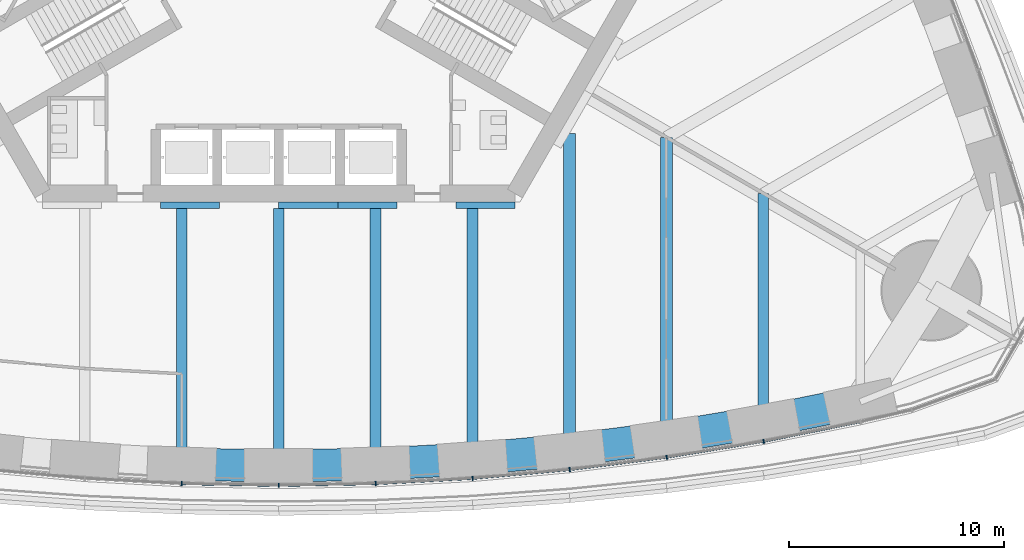
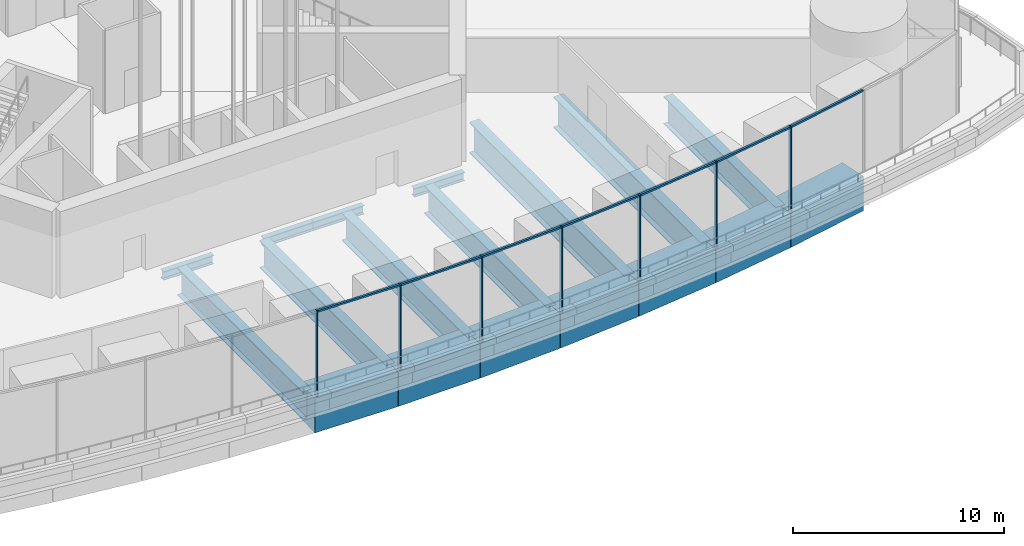
# One storey, part 4 of 33: 18 beams, 14 members, 1 element without a shape of its own.
"""IFC4 building model written with IfcOpenShell, lengths in metres."""

from ifc_helpers import new_model, si_unit, direction, frame, origin, origin_2d, place, context, subcontext, project, spatial, rectangle, i_section, extrude, material, material_profile, profile_set, type_object, element, aggregate, save


model = new_model("IFC4")

# Units and contexts
model_context = context("Model", 3, precision=1e-05, world=origin(), true_north=direction((0.0, 1.0)))
body_context = subcontext(model_context, "Body", "Model", "MODEL_VIEW")
ifc_project = project(units=[si_unit("LENGTHUNIT", "METRE"), si_unit("AREAUNIT", "SQUARE_METRE"), si_unit("VOLUMEUNIT", "CUBIC_METRE"), si_unit("PLANEANGLEUNIT", "RADIAN"), si_unit("MASSUNIT", "GRAM", prefix="KILO")], contexts=[model_context])

# Site, building, storey
site_placement = place(None, origin())
site = spatial("IfcSite", under=ifc_project, at=site_placement, CompositionType="ELEMENT")
building_placement = place(site_placement, origin())
building = spatial("IfcBuilding", under=site, at=building_placement, Name="Trefoil Bronze Tower", CompositionType="ELEMENT")
storey_placement = place(building_placement, frame((0.0, 0.0, 98.10009765625)))
storey = spatial("IfcBuildingStorey", under=building, at=storey_placement, Name="L22", CompositionType="ELEMENT", Elevation=98.10009765625)

# Curtain wall, members
ifc_material_1 = material(Name="Tinted solar-control glass", Category="glass")
curtain_wall_type = type_object("IfcCurtainWallType", Name="Bronze sky lobby curtain wall", PredefinedType="USERDEFINED", material=ifc_material_1)
curtain_wall_placement = place(storey_placement, origin())
curtain_wall = element("IfcCurtainWall", 1, at=curtain_wall_placement, inside=storey, type_object=curtain_wall_type, Name="CW-D L22 F1", ObjectType="CURTAIN WALL", PredefinedType="USERDEFINED")
ifc_material_2 = material(Name="Bronze-finish aluminium", Category="aluminium")
ifc_material_profile_1 = material_profile(ifc_material_2, rectangle(XDim=0.199951171875, YDim=0.06005859375, at=origin_2d()), Name="CW-D mullion")
ifc_profile_set_1 = profile_set([ifc_material_profile_1], Name="Bronze-finish aluminium")
member_type_1 = type_object("IfcMemberType", Name="Bronze sky lobby curtain wall mullion", PredefinedType="MULLION", material=ifc_profile_set_1)
member_1_placement = place(storey_placement, frame((-4.503662109375, -26.468505859375, 0.0), z_axis=(0.0, 0.0, 1.0), x_axis=(0.036047792107, 0.999350067136, 0.0)))
member_1 = element("IfcMember", 2, at=member_1_placement, type_object=member_type_1, Name="CW-D L22 F1 mullion 7", PredefinedType="MULLION", context=body_context, shape_type="SweptSolid", body=[
    extrude(rectangle(XDim=0.199951171875, YDim=0.06005859375, at=origin_2d()), origin(), (0.0, 0.0, 1.0), 4.97998046875),
])
member_2_placement = place(storey_placement, frame((0.0, -26.549560546875, 0.0), z_axis=(0.0, 0.0, 1.0), x_axis=(0.0, 1.0, 0.0)))
member_2 = element("IfcMember", 3, at=member_2_placement, type_object=member_type_1, Name="CW-D L22 F1 mullion 8", PredefinedType="MULLION", context=body_context, shape_type="SweptSolid", body=[
    extrude(rectangle(XDim=0.199951171875, YDim=0.06005859375, at=origin_2d()), origin(), (0.0, 0.0, 1.0), 4.97998046875),
])
member_3_placement = place(storey_placement, frame((4.503662109375, -26.468505859375, 0.0), z_axis=(0.0, 0.0, 1.0), x_axis=(-0.036047792107, 0.999350067136, 0.0)))
member_3 = element("IfcMember", 4, at=member_3_placement, type_object=member_type_1, Name="CW-D L22 F1 mullion 9", PredefinedType="MULLION", context=body_context, shape_type="SweptSolid", body=[
    extrude(rectangle(XDim=0.199951171875, YDim=0.06005859375, at=origin_2d()), origin(), (0.0, 0.0, 1.0), 4.97998046875),
])
member_4_placement = place(storey_placement, frame((9.00732421875, -26.224609375, 0.0), z_axis=(0.0, 0.0, 1.0), x_axis=(-0.072095676284, 0.997397720802, 0.0)))
member_4 = element("IfcMember", 5, at=member_4_placement, type_object=member_type_1, Name="CW-D L22 F1 mullion 10", PredefinedType="MULLION", context=body_context, shape_type="SweptSolid", body=[
    extrude(rectangle(XDim=0.199951171875, YDim=0.06005859375, at=origin_2d()), origin(), (0.0, 0.0, 1.0), 4.97998046875),
])
member_5_placement = place(storey_placement, frame((13.5107421875, -25.817138671875, 0.0), z_axis=(0.0, 0.0, 1.0), x_axis=(-0.108143747013, 0.994135267447, 0.0)))
member_5 = element("IfcMember", 6, at=member_5_placement, type_object=member_type_1, Name="CW-D L22 F1 mullion 11", PredefinedType="MULLION", context=body_context, shape_type="SweptSolid", body=[
    extrude(rectangle(XDim=0.199951171875, YDim=0.06005859375, at=origin_2d()), origin(), (0.0, 0.0, 1.0), 4.97998046875),
])
member_6_placement = place(storey_placement, frame((18.014404296875, -25.24462890625, 0.0), z_axis=(0.0, 0.0, 1.0), x_axis=(-0.144192103798, 0.989549714366, 0.0)))
member_6 = element("IfcMember", 7, at=member_6_placement, type_object=member_type_1, Name="CW-D L22 F1 mullion 12", PredefinedType="MULLION", context=body_context, shape_type="SweptSolid", body=[
    extrude(rectangle(XDim=0.199951171875, YDim=0.06005859375, at=origin_2d()), origin(), (0.0, 0.0, 1.0), 4.97998046875),
])
member_7_placement = place(storey_placement, frame((22.51806640625, -24.50439453125, 0.0), z_axis=(0.0, 0.0, 1.0), x_axis=(-0.180240853954, 0.98362250613, 0.0)))
member_7 = element("IfcMember", 8, at=member_7_placement, type_object=member_type_1, Name="CW-D L22 F1 mullion 13", PredefinedType="MULLION", context=body_context, shape_type="SweptSolid", body=[
    extrude(rectangle(XDim=0.199951171875, YDim=0.06005859375, at=origin_2d()), origin(), (0.0, 0.0, 1.0), 4.97998046875),
])
ifc_material_3 = material(Name="Bronze-finish aluminium", Category="aluminium")
ifc_material_profile_2 = material_profile(ifc_material_3, rectangle(XDim=0.1201171875, YDim=0.10009765625, at=origin_2d()), Name="CW-D transom")
ifc_profile_set_2 = profile_set([ifc_material_profile_2], Name="Bronze-finish aluminium")
member_type_2 = type_object("IfcMemberType", Name="Bronze sky lobby curtain wall transom", PredefinedType="USERDEFINED", material=ifc_profile_set_2)
member_8_placement = place(storey_placement, frame((-4.471923828125, -26.468994140625, 4.929931640625), z_axis=(0.999837411572, -0.018031927805, 0.0), x_axis=(0.018031927805, 0.999837411572, 0.0)))
member_8 = element("IfcMember", 9, at=member_8_placement, type_object=member_type_2, Name="CW-D L22 F1 transom 7", ObjectType="TRANSOM", PredefinedType="USERDEFINED", context=body_context, shape_type="SweptSolid", body=[
    extrude(rectangle(XDim=0.1201171875, YDim=0.10009765625, at=origin_2d()), origin(), (0.0, 0.0, 1.0), 4.44091796875),
])
member_9_placement = place(storey_placement, frame((0.03173828125, -26.549072265625, 4.929931640625), z_axis=(0.999837411572, 0.018031927805, 0.0), x_axis=(-0.018031927805, 0.999837411572, 0.0)))
member_9 = element("IfcMember", 10, at=member_9_placement, type_object=member_type_2, Name="CW-D L22 F1 transom 8", ObjectType="TRANSOM", PredefinedType="USERDEFINED", context=body_context, shape_type="SweptSolid", body=[
    extrude(rectangle(XDim=0.1201171875, YDim=0.10009765625, at=origin_2d()), origin(), (0.0, 0.0, 1.0), 4.44091796875),
])
member_10_placement = place(storey_placement, frame((4.535400390625, -26.466796875, 4.929931640625), z_axis=(0.998536428831, 0.054083271879, 0.0), x_axis=(-0.054083271879, 0.998536428831, 0.0)))
member_10 = element("IfcMember", 11, at=member_10_placement, type_object=member_type_2, Name="CW-D L22 F1 transom 9", ObjectType="TRANSOM", PredefinedType="USERDEFINED", context=body_context, shape_type="SweptSolid", body=[
    extrude(rectangle(XDim=0.1201171875, YDim=0.10009765625, at=origin_2d()), origin(), (0.0, 0.0, 1.0), 4.446533203125),
])
member_11_placement = place(storey_placement, frame((9.038818359375, -26.221923828125, 4.929931640625), z_axis=(0.99592992842, 0.090130891917, 0.0), x_axis=(-0.090130891917, 0.99592992842, 0.0)))
member_11 = element("IfcMember", 12, at=member_11_placement, type_object=member_type_2, Name="CW-D L22 F1 transom 10", ObjectType="TRANSOM", PredefinedType="USERDEFINED", context=body_context, shape_type="SweptSolid", body=[
    extrude(rectangle(XDim=0.1201171875, YDim=0.10009765625, at=origin_2d()), origin(), (0.0, 0.0, 1.0), 4.45849609375),
])
member_12_placement = place(storey_placement, frame((13.54248046875, -25.813232421875, 4.929931640625), z_axis=(0.992010451139, 0.126155716598, 0.0), x_axis=(-0.126155716598, 0.992010451139, 0.0)))
member_12 = element("IfcMember", 13, at=member_12_placement, type_object=member_type_2, Name="CW-D L22 F1 transom 11", ObjectType="TRANSOM", PredefinedType="USERDEFINED", context=body_context, shape_type="SweptSolid", body=[
    extrude(rectangle(XDim=0.1201171875, YDim=0.10009765625, at=origin_2d()), origin(), (0.0, 0.0, 1.0), 4.47607421875),
])
member_13_placement = place(storey_placement, frame((18.0458984375, -25.2392578125, 4.929931640625), z_axis=(0.986765262524, 0.162155224019, 0.0), x_axis=(-0.162155224019, 0.986765262524, 0.0)))
member_13 = element("IfcMember", 14, at=member_13_placement, type_object=member_type_2, Name="CW-D L22 F1 transom 12", ObjectType="TRANSOM", PredefinedType="USERDEFINED", context=body_context, shape_type="SweptSolid", body=[
    extrude(rectangle(XDim=0.1201171875, YDim=0.10009765625, at=origin_2d()), origin(), (0.0, 0.0, 1.0), 4.500244140625),
])
member_14_placement = place(storey_placement, frame((22.54931640625, -24.498046875, 4.929931640625), z_axis=(0.980155635994, 0.198229486275, 0.0), x_axis=(-0.198229486275, 0.980155635994, 0.0)))
member_14 = element("IfcMember", 15, at=member_14_placement, type_object=member_type_2, Name="CW-D L22 F1 transom 13", ObjectType="TRANSOM", PredefinedType="USERDEFINED", context=body_context, shape_type="SweptSolid", body=[
    extrude(rectangle(XDim=0.1201171875, YDim=0.10009765625, at=origin_2d()), origin(), (0.0, 0.0, 1.0), 4.531005859375),
])
aggregate(curtain_wall, [member_1, member_2, member_3, member_4, member_5, member_6, member_7, member_8, member_9, member_10, member_11, member_12, member_13, member_14])

# Beams
ifc_material_4 = material(Name="Steel C355", Category="steel")
ifc_material_profile_3 = material_profile(ifc_material_4, i_section(OverallWidth=0.300048828125, OverallDepth=0.5, WebThickness=0.014404296875, FlangeThickness=0.028076171875, FilletRadius=0.027099609375, at=origin_2d()), Name="HEB 500")
ifc_profile_set_3 = profile_set([ifc_material_profile_3], Name="Steel C355")
beam_type_1 = type_object("IfcBeamType", Name="Core seat beam HEB 500", PredefinedType="BEAM", material=ifc_profile_set_3)
for number, where, z_axis, x_axis, name in (
    (16, (-5.48486328125, -13.550048828125, -0.4501953125), (1.0, 0.0, 0.0), (0.0, 1.0, 0.0), "Core seat beam F1/-1 L22"),
    (17, (0.0, -13.550048828125, -0.4501953125), (1.0, 0.0, 0.0), (0.0, 1.0, 0.0), "Core seat beam F1/+0 L22"),
    (18, (2.742431640625, -13.550048828125, -0.4501953125), (1.0, 0.0, 0.0), (0.0, 1.0, 0.0), "Core seat beam F1/+1 L22"),
    (19, (8.227294921875, -13.550048828125, -0.4501953125), (1.0, 0.0, 0.0), (0.0, 1.0, 0.0), "Core seat beam F1/+2 L22"),
):
    element("IfcBeam", number, at=place(storey_placement, frame(where, z_axis=z_axis, x_axis=x_axis)), inside=storey, type_object=beam_type_1, Name=name, PredefinedType="BEAM", context=body_context, shape_type="SweptSolid", body=[
        extrude(i_section(OverallWidth=0.300048828125, OverallDepth=0.5, WebThickness=0.014404296875, FlangeThickness=0.028076171875, FilletRadius=0.027099609375, at=origin_2d()), origin(), (0.0, 0.0, 1.0), 2.742431640625),
    ])
ifc_material_5 = material(Name="Steel C355", Category="steel")
ifc_material_profile_4 = material_profile(ifc_material_5, i_section(OverallWidth=0.5, OverallDepth=1.60009765625, WebThickness=0.02587890625, FlangeThickness=0.050048828125, FilletRadius=0.011962890625, at=origin_2d()), Name="WPG 1600")
ifc_profile_set_4 = profile_set([ifc_material_profile_4], Name="Steel C355")
beam_type_2 = type_object("IfcBeamType", Name="Floor beam WPG 1600", PredefinedType="BEAM", material=ifc_profile_set_4)
beam_1_placement = place(storey_placement, frame((-4.5, -25.568115234375, -1.0), z_axis=(0.0, 1.0, 0.0), x_axis=(-1.0, 0.0, 0.0)))
element("IfcBeam", 20, at=beam_1_placement, inside=storey, type_object=beam_type_2, Name="Floor beam F1/-1 L22", PredefinedType="BEAM", context=body_context, shape_type="SweptSolid", body=[
    extrude(i_section(OverallWidth=0.5, OverallDepth=1.60009765625, WebThickness=0.02587890625, FlangeThickness=0.050048828125, FilletRadius=0.011962890625, at=origin_2d()), origin(), (0.0, 0.0, 1.0), 11.8681640625),
])
beam_2_placement = place(storey_placement, frame((0.0, -25.649658203125, -1.0), z_axis=(0.0, 1.0, 0.0), x_axis=(-1.0, 0.0, 0.0)))
element("IfcBeam", 21, at=beam_2_placement, inside=storey, type_object=beam_type_2, Name="Floor beam F1/+0 L22", PredefinedType="BEAM", context=body_context, shape_type="SweptSolid", body=[
    extrude(i_section(OverallWidth=0.5, OverallDepth=1.60009765625, WebThickness=0.02587890625, FlangeThickness=0.050048828125, FilletRadius=0.011962890625, at=origin_2d()), origin(), (0.0, 0.0, 1.0), 11.94970703125),
])
beam_3_placement = place(storey_placement, frame((4.5, -25.568115234375, -1.0), z_axis=(0.0, 1.0, 0.0), x_axis=(-1.0, 0.0, 0.0)))
element("IfcBeam", 22, at=beam_3_placement, inside=storey, type_object=beam_type_2, Name="Floor beam F1/+1 L22", PredefinedType="BEAM", context=body_context, shape_type="SweptSolid", body=[
    extrude(i_section(OverallWidth=0.5, OverallDepth=1.60009765625, WebThickness=0.02587890625, FlangeThickness=0.050048828125, FilletRadius=0.011962890625, at=origin_2d()), origin(), (0.0, 0.0, 1.0), 11.8681640625),
])
beam_4_placement = place(storey_placement, frame((9.0, -25.32275390625, -1.0), z_axis=(0.0, 1.0, 0.0), x_axis=(-1.0, 0.0, 0.0)))
element("IfcBeam", 23, at=beam_4_placement, inside=storey, type_object=beam_type_2, Name="Floor beam F1/+2 L22", PredefinedType="BEAM", context=body_context, shape_type="SweptSolid", body=[
    extrude(i_section(OverallWidth=0.5, OverallDepth=1.60009765625, WebThickness=0.02587890625, FlangeThickness=0.050048828125, FilletRadius=0.011962890625, at=origin_2d()), origin(), (0.0, 0.0, 1.0), 11.622802734375),
])
beam_5_placement = place(storey_placement, frame((22.5, -23.592529296875, -1.0), z_axis=(0.0, 1.0, 0.0), x_axis=(-1.0, 0.0, 0.0)))
element("IfcBeam", 24, at=beam_5_placement, inside=storey, type_object=beam_type_2, Name="Floor beam F1/+5 L22", PredefinedType="BEAM", context=body_context, shape_type="SweptSolid", body=[
    extrude(i_section(OverallWidth=0.5, OverallDepth=1.60009765625, WebThickness=0.02587890625, FlangeThickness=0.050048828125, FilletRadius=0.011962890625, at=origin_2d()), origin(), (0.0, 0.0, 1.0), 10.60205078125),
])
ifc_material_6 = material(Name="Steel C355", Category="steel")
ifc_material_profile_5 = material_profile(ifc_material_6, i_section(OverallWidth=0.550048828125, OverallDepth=1.800048828125, WebThickness=0.029052734375, FlangeThickness=0.054931640625, FilletRadius=0.013916015625, at=origin_2d()), Name="WPG 1800")
ifc_profile_set_5 = profile_set([ifc_material_profile_5], Name="Steel C355")
beam_type_3 = type_object("IfcBeamType", Name="Floor beam WPG 1800", PredefinedType="BEAM", material=ifc_profile_set_5)
beam_6_placement = place(storey_placement, frame((13.5, -24.9130859375, -1.10009765625), z_axis=(0.0, 1.0, 0.0), x_axis=(-1.0, 0.0, 0.0)))
element("IfcBeam", 25, at=beam_6_placement, inside=storey, type_object=beam_type_3, Name="Floor beam F1/+3 L22", PredefinedType="BEAM", context=body_context, shape_type="SweptSolid", body=[
    extrude(i_section(OverallWidth=0.550048828125, OverallDepth=1.800048828125, WebThickness=0.029052734375, FlangeThickness=0.054931640625, FilletRadius=0.013916015625, at=origin_2d()), origin(), (0.0, 0.0, 1.0), 14.69580078125),
])
beam_7_placement = place(storey_placement, frame((18.0, -24.337158203125, -1.10009765625), z_axis=(0.0, 1.0, 0.0), x_axis=(-1.0, 0.0, 0.0)))
element("IfcBeam", 26, at=beam_7_placement, inside=storey, type_object=beam_type_3, Name="Floor beam F1/+4 L22", PredefinedType="BEAM", context=body_context, shape_type="SweptSolid", body=[
    extrude(i_section(OverallWidth=0.550048828125, OverallDepth=1.800048828125, WebThickness=0.029052734375, FlangeThickness=0.054931640625, FilletRadius=0.013916015625, at=origin_2d()), origin(), (0.0, 0.0, 1.0), 13.94482421875),
])
ifc_material_7 = material(Name="Concrete B80", Category="concrete")
ifc_material_profile_6 = material_profile(ifc_material_7, rectangle(XDim=1.5, YDim=2.0, at=origin_2d()), Name="RC 1500x2000")
ifc_profile_set_6 = profile_set([ifc_material_profile_6], Name="Concrete B80")
beam_type_4 = type_object("IfcBeamType", Name="Spandrel beam RC 1500x2000", PredefinedType="SPANDREL", material=ifc_profile_set_6)
for number, where, z_axis, x_axis, name in (
    (27, (-4.5, -25.568115234375, -1.2001953125), (0.999835861267, -0.01811768542, 0.0), (0.01811768542, 0.999835861267, 0.0), "Spandrel F1.7 L22"),
    (28, (0.0, -25.649658203125, -1.2001953125), (0.999835861267, 0.01811768542, 0.0), (-0.01811768542, 0.999835861267, 0.0), "Spandrel F1.8 L22"),
):
    element("IfcBeam", number, at=place(storey_placement, frame(where, z_axis=z_axis, x_axis=x_axis)), inside=storey, type_object=beam_type_4, Name=name, PredefinedType="SPANDREL", context=body_context, shape_type="SweptSolid", body=[
        extrude(rectangle(XDim=1.5, YDim=2.0, at=origin_2d()), origin(), (0.0, 0.0, 1.0), 4.500732421875),
    ])
beam_8_placement = place(storey_placement, frame((4.5, -25.568115234375, -1.2001953125), z_axis=(0.998516832602, 0.054443870267, 0.0), x_axis=(-0.054443870267, 0.998516832602, 0.0)))
element("IfcBeam", 29, at=beam_8_placement, inside=storey, type_object=beam_type_4, Name="Spandrel F1.9 L22", PredefinedType="SPANDREL", context=body_context, shape_type="SweptSolid", body=[
    extrude(rectangle(XDim=1.5, YDim=2.0, at=origin_2d()), origin(), (0.0, 0.0, 1.0), 4.506591796875),
])
beam_9_placement = place(storey_placement, frame((9.0, -25.32275390625, -1.2001953125), z_axis=(0.995881683815, 0.090662405894, 0.0), x_axis=(-0.090662405894, 0.995881683815, 0.0)))
element("IfcBeam", 30, at=beam_9_placement, inside=storey, type_object=beam_type_4, Name="Spandrel F1.10 L22", PredefinedType="SPANDREL", context=body_context, shape_type="SweptSolid", body=[
    extrude(rectangle(XDim=1.5, YDim=2.0, at=origin_2d()), origin(), (0.0, 0.0, 1.0), 4.5185546875),
])
beam_10_placement = place(storey_placement, frame((13.5, -24.9130859375, -1.2001953125), z_axis=(0.991909314257, 0.126948463126, 0.0), x_axis=(-0.126948463126, 0.991909314257, 0.0)))
element("IfcBeam", 31, at=beam_10_placement, inside=storey, type_object=beam_type_4, Name="Spandrel F1.11 L22", PredefinedType="SPANDREL", context=body_context, shape_type="SweptSolid", body=[
    extrude(rectangle(XDim=1.5, YDim=2.0, at=origin_2d()), origin(), (0.0, 0.0, 1.0), 4.53662109375),
])
beam_11_placement = place(storey_placement, frame((18.0, -24.337158203125, -1.2001953125), z_axis=(0.986584214684, 0.163253138823, 0.0), x_axis=(-0.163253138823, 0.986584214684, 0.0)))
element("IfcBeam", 32, at=beam_11_placement, inside=storey, type_object=beam_type_4, Name="Spandrel F1.12 L22", PredefinedType="SPANDREL", context=body_context, shape_type="SweptSolid", body=[
    extrude(rectangle(XDim=1.5, YDim=2.0, at=origin_2d()), origin(), (0.0, 0.0, 1.0), 4.561279296875),
])
beam_12_placement = place(storey_placement, frame((22.5, -23.592529296875, -1.2001953125), z_axis=(0.979935430296, 0.199315208777, 0.0), x_axis=(-0.199315208777, 0.979935430296, 0.0)))
element("IfcBeam", 33, at=beam_12_placement, inside=storey, type_object=beam_type_4, Name="Spandrel F1.13 L22", PredefinedType="SPANDREL", context=body_context, shape_type="SweptSolid", body=[
    extrude(rectangle(XDim=1.5, YDim=2.0, at=origin_2d()), origin(), (0.0, 0.0, 1.0), 4.592041015625),
])

save(model, "model.ifc")
